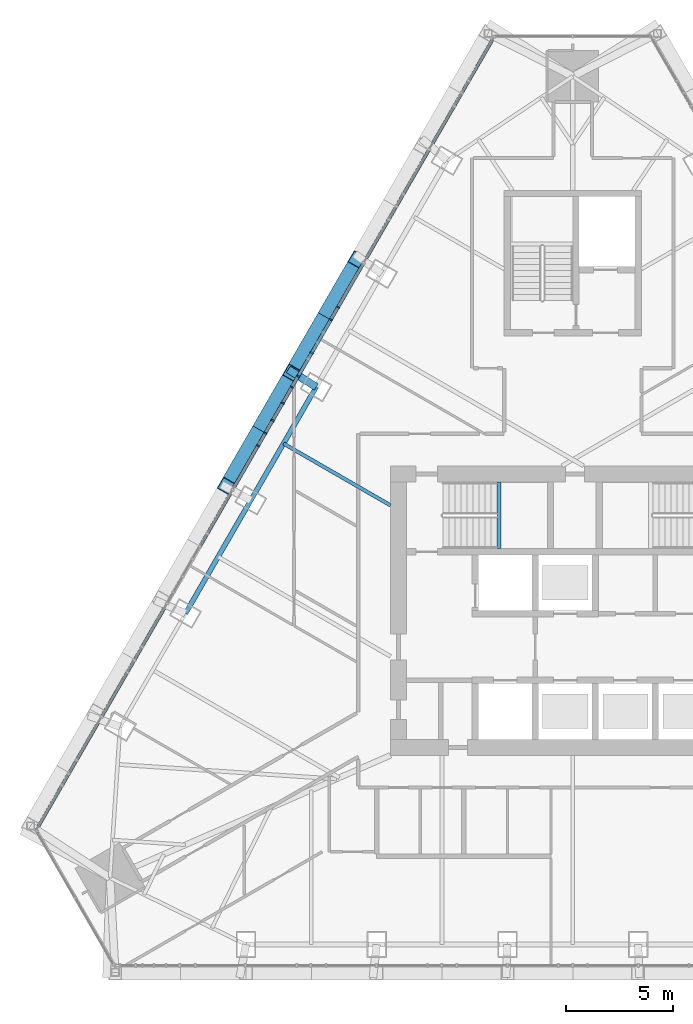
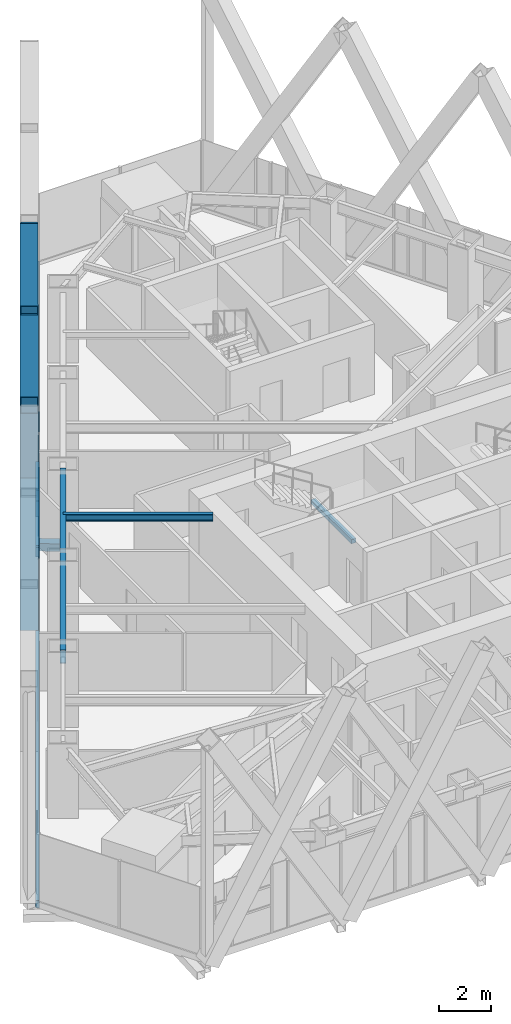
# One storey, part 5 of 23: 18 members, 3 beams, 1 element without a shape of its own.
"""IFC4 building model written with IfcOpenShell, lengths in metres."""

from ifc_helpers import new_model, si_unit, direction, frame, origin, origin_2d, place, context, subcontext, project, spatial, rectangle, hollow_rectangle, i_section, extrude, material, layer, layer_set, material_profile, profile_set, type_object, element, aggregate, save


model = new_model("IFC4")

# Units and contexts
model_context = context("Model", 3, precision=1e-05, world=origin(), true_north=direction((0.0, 1.0)))
body_context = subcontext(model_context, "Body", "Model", "MODEL_VIEW")
ifc_project = project(units=[si_unit("LENGTHUNIT", "METRE"), si_unit("AREAUNIT", "SQUARE_METRE"), si_unit("VOLUMEUNIT", "CUBIC_METRE"), si_unit("PLANEANGLEUNIT", "RADIAN"), si_unit("MASSUNIT", "GRAM", prefix="KILO")], contexts=[model_context])

# Site, building, storey
site_placement = place(None, origin())
site = spatial("IfcSite", under=ifc_project, at=site_placement, CompositionType="ELEMENT")
building_placement = place(site_placement, origin())
building = spatial("IfcBuilding", under=site, at=building_placement, Name="Firuza Gate Tower and Library", CompositionType="ELEMENT")
storey_placement = place(building_placement, frame((0.0, 0.0, 302.10009765625)))
storey = spatial("IfcBuildingStorey", under=building, at=storey_placement, Name="L73", CompositionType="ELEMENT", Elevation=302.10009765625)

# Members
ifc_material_1 = material(Name="Steel S355", Category="steel")
ifc_material_profile_1 = material_profile(ifc_material_1, hollow_rectangle(XDim=0.699951171875, YDim=0.699951171875, WallThickness=0.030029296875, at=origin_2d()))
ifc_profile_set_1 = profile_set([ifc_material_profile_1], Name="Steel S355")
member_type_1 = type_object("IfcMemberType", Name="BU700x700x30 Lattice brace", PredefinedType="BRACE", material=ifc_profile_set_1)
for number, where, z_axis, x_axis, name in (
    (1, (64.95751953125, 91.356689453125, 0.0), (-0.251032405124, -0.434822551138, 0.864819102818), (0.866036194175, -0.49998131003, 0.0), "Lattice brace W 19.3R"),
    (2, (61.90966796875, 86.077392578125, 0.0), (0.251032405124, 0.434822551138, 0.864819102818), (-0.866036194175, 0.49998131003, 0.0), "Lattice brace W 19.3L"),
    (3, (61.90966796875, 86.077392578125, 0.0), (-0.251051246141, -0.434820356151, 0.864814737206), (0.866018852375, -0.500011347202, 0.0), "Lattice brace W 19.4R"),
    (4, (58.861572265625, 80.798095703125, 0.0), (0.251051246141, 0.434820356151, 0.864814737206), (-0.866018852375, 0.500011347202, 0.0), "Lattice brace W 19.4L"),
):
    element("IfcMember", number, at=place(storey_placement, frame(where, z_axis=z_axis, x_axis=x_axis)), inside=storey, type_object=member_type_1, Name=name, PredefinedType="BRACE", context=body_context, shape_type="SweptSolid", body=[
        extrude(hollow_rectangle(XDim=0.699951171875, YDim=0.699951171875, WallThickness=0.030029296875, at=origin_2d()), origin(), (0.0, 0.0, 1.0), 12.141357421875),
    ])

# Curtain wall, members
ifc_material_2 = material(Name="Aluminium 6063-T6", Category="aluminium")
ifc_layer = layer(ifc_material_2, 0.14990234375)
ifc_layer_set = layer_set([ifc_layer], Name="Unitised curtain wall, residences")
curtain_wall_type = type_object("IfcCurtainWallType", Name="Unitised curtain wall, residences", PredefinedType="NOTDEFINED", material=ifc_layer_set)
curtain_wall_placement = place(storey_placement, origin())
curtain_wall = element("IfcCurtainWall", 5, at=curtain_wall_placement, inside=storey, type_object=curtain_wall_type, Name="CW3 L73 W face", PredefinedType="NOTDEFINED")
ifc_material_3 = material(Name="Aluminium 6063-T6", Category="aluminium")
ifc_material_profile_2 = material_profile(ifc_material_3, rectangle(XDim=0.14990234375, YDim=0.080078125, at=origin_2d()))
ifc_profile_set_2 = profile_set([ifc_material_profile_2], Name="Aluminium 6063-T6")
member_type_2 = type_object("IfcMemberType", Name="Curtain wall mullion 80x150", PredefinedType="MULLION", material=ifc_profile_set_2)
member_1_placement = place(storey_placement, frame((63.72119140625, 88.565185546875, 0.14990234375), z_axis=(0.0, 0.0, 1.0), x_axis=(0.866025403784, -0.5, 0.0)))
member_1 = element("IfcMember", 6, at=member_1_placement, type_object=member_type_2, Name="Mullion", PredefinedType="MULLION", context=body_context, shape_type="SweptSolid", body=[
    extrude(rectangle(XDim=0.14990234375, YDim=0.080078125, at=origin_2d()), origin(), (0.0, 0.0, 1.0), 3.14990234375),
])
member_2_placement = place(storey_placement, frame((62.194091796875, 85.920166015625, 0.14990234375), z_axis=(0.0, 0.0, 1.0), x_axis=(0.866025403784, -0.5, 0.0)))
member_2 = element("IfcMember", 7, at=member_2_placement, type_object=member_type_2, Name="Mullion", PredefinedType="MULLION", context=body_context, shape_type="SweptSolid", body=[
    extrude(rectangle(XDim=0.14990234375, YDim=0.080078125, at=origin_2d()), origin(), (0.0, 0.0, 1.0), 3.14990234375),
])
member_3_placement = place(storey_placement, frame((60.6669921875, 83.275146484375, 0.14990234375), z_axis=(0.0, 0.0, 1.0), x_axis=(0.866025403784, -0.5, 0.0)))
member_3 = element("IfcMember", 8, at=member_3_placement, type_object=member_type_2, Name="Mullion", PredefinedType="MULLION", context=body_context, shape_type="SweptSolid", body=[
    extrude(rectangle(XDim=0.14990234375, YDim=0.080078125, at=origin_2d()), origin(), (0.0, 0.0, 1.0), 3.14990234375),
])
member_4_placement = place(storey_placement, frame((64.05615234375, 89.1455078125, 0.14990234375), z_axis=(0.0, 0.0, 1.0), x_axis=(0.866025403784, -0.5, 0.0)))
member_4 = element("IfcMember", 9, at=member_4_placement, type_object=member_type_2, Name="Mullion", PredefinedType="MULLION", context=body_context, shape_type="SweptSolid", body=[
    extrude(rectangle(XDim=0.14990234375, YDim=0.080078125, at=origin_2d()), origin(), (0.0, 0.0, 1.0), 3.14990234375),
])
member_5_placement = place(storey_placement, frame((62.8251953125, 87.01318359375, 0.14990234375), z_axis=(0.0, 0.0, 1.0), x_axis=(0.866025403784, -0.5, 0.0)))
member_5 = element("IfcMember", 10, at=member_5_placement, type_object=member_type_2, Name="Mullion", PredefinedType="MULLION", context=body_context, shape_type="SweptSolid", body=[
    extrude(rectangle(XDim=0.14990234375, YDim=0.080078125, at=origin_2d()), origin(), (0.0, 0.0, 1.0), 1.260009765625),
])
member_6_placement = place(storey_placement, frame((61.47705078125, 84.67822265625, 0.14990234375), z_axis=(0.0, 0.0, 1.0), x_axis=(0.866025403784, -0.5, 0.0)))
member_6 = element("IfcMember", 11, at=member_6_placement, type_object=member_type_2, Name="Mullion", PredefinedType="MULLION", context=body_context, shape_type="SweptSolid", body=[
    extrude(rectangle(XDim=0.14990234375, YDim=0.080078125, at=origin_2d()), origin(), (0.0, 0.0, 1.0), 1.534912109375),
])
member_7_placement = place(storey_placement, frame((61.903564453125, 85.416748046875, 1.764892578125), z_axis=(0.0, 0.0, 1.0), x_axis=(0.866025403784, -0.5, 0.0)))
member_7 = element("IfcMember", 12, at=member_7_placement, type_object=member_type_2, Name="Mullion", PredefinedType="MULLION", context=body_context, shape_type="SweptSolid", body=[
    extrude(rectangle(XDim=0.14990234375, YDim=0.080078125, at=origin_2d()), origin(), (0.0, 0.0, 1.0), 1.534912109375),
])
member_8_placement = place(storey_placement, frame((61.00830078125, 83.8662109375, 1.764892578125), z_axis=(0.0, 0.0, 1.0), x_axis=(0.866025403784, -0.5, 0.0)))
member_8 = element("IfcMember", 13, at=member_8_placement, type_object=member_type_2, Name="Mullion", PredefinedType="MULLION", context=body_context, shape_type="SweptSolid", body=[
    extrude(rectangle(XDim=0.14990234375, YDim=0.080078125, at=origin_2d()), origin(), (0.0, 0.0, 1.0), 1.534912109375),
])
member_9_placement = place(storey_placement, frame((60.325927734375, 82.68408203125, 0.14990234375), z_axis=(0.0, 0.0, 1.0), x_axis=(0.866025403784, -0.5, 0.0)))
member_9 = element("IfcMember", 14, at=member_9_placement, type_object=member_type_2, Name="Mullion", PredefinedType="MULLION", context=body_context, shape_type="SweptSolid", body=[
    extrude(rectangle(XDim=0.14990234375, YDim=0.080078125, at=origin_2d()), origin(), (0.0, 0.0, 1.0), 3.14990234375),
])
ifc_material_4 = material(Name="Aluminium 6063-T6", Category="aluminium")
ifc_material_profile_3 = material_profile(ifc_material_4, rectangle(XDim=0.14990234375, YDim=0.35009765625, at=origin_2d()))
ifc_profile_set_3 = profile_set([ifc_material_profile_3], Name="Aluminium 6063-T6")
member_type_3 = type_object("IfcMemberType", Name="Curtain wall transom 350x150", PredefinedType="USERDEFINED", material=ifc_profile_set_3)
member_10_placement = place(storey_placement, frame((71.356689453125, 101.7900390625, -0.025146484375), z_axis=(-0.500001704016, -0.866024419968, 0.0), x_axis=(0.866024419968, -0.500001704016, 0.0)))
member_10 = element("IfcMember", 15, at=member_10_placement, type_object=member_type_3, Name="Transom", ObjectType="TRANSOM", PredefinedType="USERDEFINED", context=body_context, shape_type="SweptSolid", body=[
    extrude(rectangle(XDim=0.14990234375, YDim=0.35009765625, at=origin_2d()), origin(), (0.0, 0.0, 1.0), 42.758544921875),
])
ifc_material_5 = material(Name="Aluminium 6063-T6", Category="aluminium")
ifc_material_profile_4 = material_profile(ifc_material_5, rectangle(XDim=0.14990234375, YDim=0.080078125, at=origin_2d()))
ifc_profile_set_4 = profile_set([ifc_material_profile_4], Name="Aluminium 6063-T6")
member_type_4 = type_object("IfcMemberType", Name="Curtain wall transom 80x150", PredefinedType="USERDEFINED", material=ifc_profile_set_4)
member_11_placement = place(storey_placement, frame((63.701171875, 88.530517578125, 1.449951171875), z_axis=(-0.499997208602, -0.866027015393, 0.0), x_axis=(0.866027015393, -0.499997208602, 0.0)))
member_11 = element("IfcMember", 16, at=member_11_placement, type_object=member_type_4, Name="Transom", ObjectType="TRANSOM", PredefinedType="USERDEFINED", context=body_context, shape_type="SweptSolid", body=[
    extrude(rectangle(XDim=0.14990234375, YDim=0.080078125, at=origin_2d()), origin(), (0.0, 0.0, 1.0), 2.97412109375),
])
member_12_placement = place(storey_placement, frame((63.701171875, 88.530517578125, 2.375), z_axis=(-0.499997208602, -0.866027015393, 0.0), x_axis=(0.866027015393, -0.499997208602, 0.0)))
member_12 = element("IfcMember", 17, at=member_12_placement, type_object=member_type_4, Name="Transom", ObjectType="TRANSOM", PredefinedType="USERDEFINED", context=body_context, shape_type="SweptSolid", body=[
    extrude(rectangle(XDim=0.14990234375, YDim=0.080078125, at=origin_2d()), origin(), (0.0, 0.0, 1.0), 2.97412109375),
])
member_13_placement = place(storey_placement, frame((62.174072265625, 85.885498046875, 1.724853515625), z_axis=(-0.499997208602, -0.866027015393, 0.0), x_axis=(0.866027015393, -0.499997208602, 0.0)))
member_13 = element("IfcMember", 18, at=member_13_placement, type_object=member_type_4, Name="Transom", ObjectType="TRANSOM", PredefinedType="USERDEFINED", context=body_context, shape_type="SweptSolid", body=[
    extrude(rectangle(XDim=0.14990234375, YDim=0.080078125, at=origin_2d()), origin(), (0.0, 0.0, 1.0), 2.97412109375),
])
aggregate(curtain_wall, [member_1, member_2, member_3, member_10, member_4, member_5, member_11, member_12, member_6, member_7, member_8, member_13, member_9])

# Member
ifc_material_6 = material(Name="Steel S355", Category="steel")
ifc_material_profile_5 = material_profile(ifc_material_6, hollow_rectangle(XDim=0.355712890625, YDim=0.355712890625, WallThickness=0.014892578125, at=origin_2d()))
ifc_profile_set_5 = profile_set([ifc_material_profile_5], Name="Steel S355")
member_type_5 = type_object("IfcMemberType", Name="HSS356x356x16 Lattice node tie", PredefinedType="BRACE", material=ifc_profile_set_5)
member_14_placement = place(storey_placement, frame((63.035400390625, 85.42724609375, -0.320068359375), z_axis=(-0.846317648608, 0.532678550024, 0.0), x_axis=(-0.532678550024, -0.846317648608, 0.0)))
element("IfcMember", 19, at=member_14_placement, inside=storey, type_object=member_type_5, Name="Lattice node tie W L73 524", PredefinedType="BRACE", context=body_context, shape_type="SweptSolid", body=[
    extrude(hollow_rectangle(XDim=0.355712890625, YDim=0.355712890625, WallThickness=0.014892578125, at=origin_2d()), origin(), (0.0, 0.0, 1.0), 1.5380859375),
])

# Beams
ifc_material_7 = material(Name="Concrete C35/45", Category="concrete")
ifc_material_profile_6 = material_profile(ifc_material_7, rectangle(XDim=0.199951171875, YDim=0.199951171875, at=origin_2d()))
ifc_profile_set_6 = profile_set([ifc_material_profile_6], Name="Concrete C35/45")
beam_type_1 = type_object("IfcBeamType", Name="Stair landing bearer 200x200", PredefinedType="BEAM", material=ifc_profile_set_6)
beam_1_placement = place(storey_placement, frame((71.56005859375, 77.89990234375, 1.449951171875), z_axis=(0.0, 1.0, 0.0), x_axis=(-1.0, 0.0, 0.0)))
element("IfcBeam", 20, at=beam_1_placement, inside=storey, type_object=beam_type_1, Name="Landing bearer L73 stair 1", PredefinedType="BEAM", context=body_context, shape_type="SweptSolid", body=[
    extrude(rectangle(XDim=0.199951171875, YDim=0.199951171875, at=origin_2d()), origin(), (0.0, 0.0, 1.0), 3.10009765625),
])
ifc_material_8 = material(Name="Steel S355", Category="steel")
ifc_material_profile_7 = material_profile(ifc_material_8, i_section(OverallWidth=0.1650390625, OverallDepth=0.31005859375, WebThickness=0.005859375, FlangeThickness=0.009765625, at=origin_2d()))
ifc_profile_set_7 = profile_set([ifc_material_profile_7], Name="Steel S355")
beam_type_2 = type_object("IfcBeamType", Name="W310x39 Floor beam", PredefinedType="JOIST", material=ifc_profile_set_7)
beam_2_placement = place(storey_placement, frame((61.511474609375, 82.78759765625, 3.14501953125), z_axis=(0.866025368003, -0.500000061975, 0.0), x_axis=(0.500000061975, 0.866025368003, 0.0)))
element("IfcBeam", 21, at=beam_2_placement, inside=storey, type_object=beam_type_2, Name="Floor beam L73 s82", PredefinedType="JOIST", context=body_context, shape_type="SweptSolid", body=[
    extrude(i_section(OverallWidth=0.1650390625, OverallDepth=0.31005859375, WebThickness=0.005859375, FlangeThickness=0.009765625, at=origin_2d()), origin(), (0.0, 0.0, 1.0), 5.76025390625),
])
ifc_material_9 = material(Name="Steel S355", Category="steel")
ifc_material_profile_8 = material_profile(ifc_material_9, i_section(OverallWidth=0.22900390625, OverallDepth=0.612060546875, WebThickness=0.011962890625, FlangeThickness=0.01953125, at=origin_2d()))
ifc_profile_set_8 = profile_set([ifc_material_profile_8], Name="Steel S355")
beam_type_3 = type_object("IfcBeamType", Name="W610x125 Edge beam", PredefinedType="SPANDREL", material=ifc_profile_set_8)
beam_3_placement = place(storey_placement, frame((63.035400390625, 85.42724609375, 2.993896484375), z_axis=(-0.499996328842, -0.866027523318, 0.0), x_axis=(0.866027523318, -0.499996328842, 0.0)))
element("IfcBeam", 22, at=beam_3_placement, inside=storey, type_object=beam_type_3, Name="Edge beam L73 e82", PredefinedType="SPANDREL", context=body_context, shape_type="SweptSolid", body=[
    extrude(i_section(OverallWidth=0.22900390625, OverallDepth=0.612060546875, WebThickness=0.011962890625, FlangeThickness=0.01953125, at=origin_2d()), origin(), (0.0, 0.0, 1.0), 12.19189453125),
])

save(model, "model.ifc")
